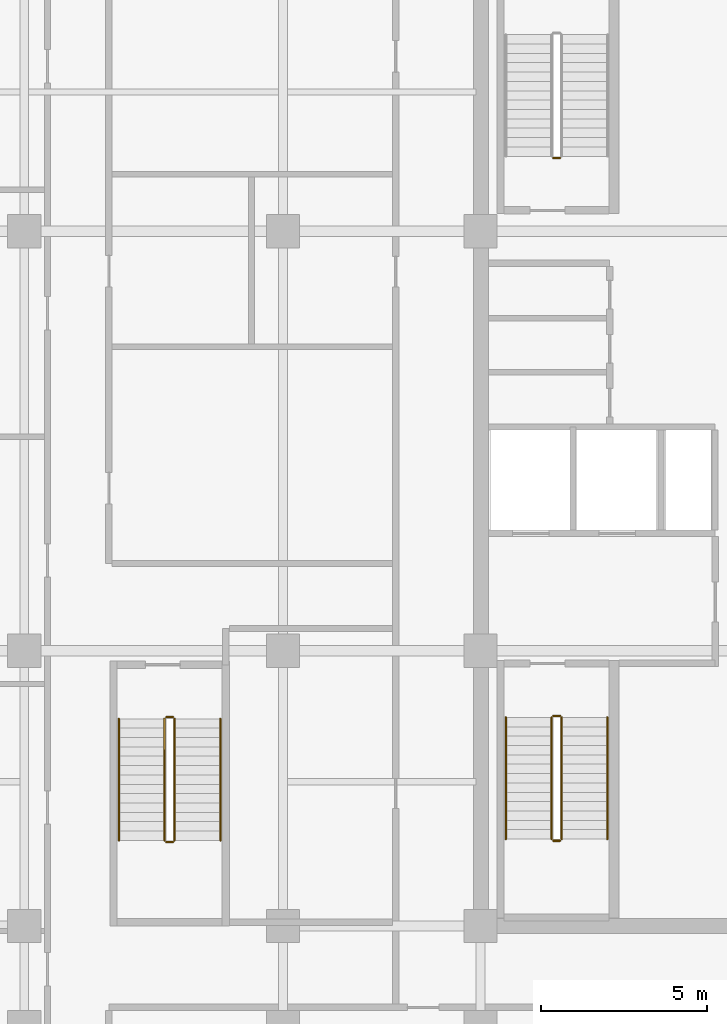
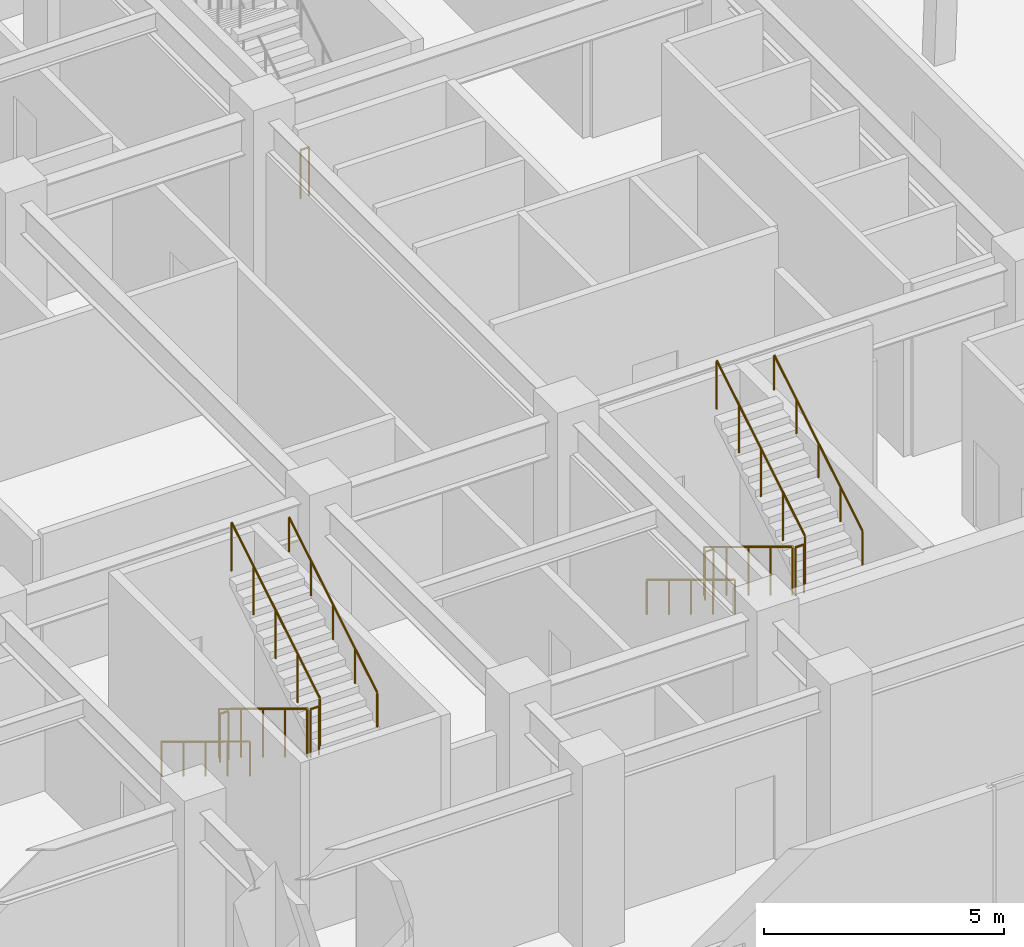
# One storey, part 8 of 10: 13 railings.
"""IFC4 building model written with IfcOpenShell, lengths in metres."""

from ifc_helpers import new_model, si_unit, direction, frame, origin, origin_2d, place, context, subcontext, project, spatial, circle, extrude, material, type_object, element, save


model = new_model("IFC4")

# Units and contexts
model_context = context("Model", 3, precision=1e-05, world=origin(), true_north=direction((0.0, 1.0)))
body_context = subcontext(model_context, "Body", "Model", "MODEL_VIEW")
ifc_project = project(units=[si_unit("LENGTHUNIT", "METRE"), si_unit("AREAUNIT", "SQUARE_METRE"), si_unit("VOLUMEUNIT", "CUBIC_METRE"), si_unit("PLANEANGLEUNIT", "RADIAN"), si_unit("MASSUNIT", "GRAM", prefix="KILO")], contexts=[model_context])

# Site, building, storey
site_placement = place(None, origin())
site = spatial("IfcSite", under=ifc_project, at=site_placement, CompositionType="ELEMENT")
building_placement = place(site_placement, origin())
building = spatial("IfcBuilding", under=site, at=building_placement, Name="Ochreholt Gables", CompositionType="ELEMENT")
storey_placement = place(building_placement, frame((0.0, 0.0, 14.39990234375)))
storey = spatial("IfcBuildingStorey", under=building, at=storey_placement, Name="L03", CompositionType="ELEMENT", Elevation=14.39990234375)

# Railings
ifc_material_1 = material(Name="Painted Steel Stair Guardrail", Category="steel")
railing_type_1 = type_object("IfcRailingType", Name="RL-ST-GUARD", PredefinedType="GUARDRAIL", material=ifc_material_1)
railing_1_placement = place(storey_placement, frame((26.35009765625, 15.5400390625, 0.171630859375)))
element("IfcRailing", 1, at=railing_1_placement, inside=storey, type_object=railing_type_1, Name="L03 ST-1 stair guard 1", PredefinedType="GUARDRAIL", context=body_context, shape_type="SweptSolid", body=[
    extrude(circle(Radius=0.02392578125, at=origin_2d()), frame((0.0, 0.0, 1.22607421875), z_axis=(0.0, -0.85450609292, 0.519441370283), x_axis=(1.0, 0.0, 0.0)), (0.0, 0.0, 1.0), 4.290283203125),
    extrude(circle(Radius=0.02099609375, at=origin_2d()), origin(), (0.0, 0.0, 1.0), 1.201904296875),
    extrude(circle(Radius=0.02099609375, at=origin_2d()), frame((0.0, -0.91650390625, 0.55712890625)), (0.0, 0.0, 1.0), 1.201904296875),
    extrude(circle(Radius=0.02099609375, at=origin_2d()), frame((0.0, -1.8330078125, 1.1142578125)), (0.0, 0.0, 1.0), 1.201904296875),
    extrude(circle(Radius=0.02099609375, at=origin_2d()), frame((0.0, -2.74951171875, 1.67138671875)), (0.0, 0.0, 1.0), 1.201904296875),
    extrude(circle(Radius=0.02099609375, at=origin_2d()), frame((0.0, -3.666015625, 2.228515625)), (0.0, 0.0, 1.0), 1.201904296875),
])
railing_2_placement = place(storey_placement, frame((26.39990234375, 11.823974609375, 2.400146484375)))
element("IfcRailing", 2, at=railing_2_placement, inside=storey, type_object=railing_type_1, Name="L03 ST-1 stair guard 2", PredefinedType="GUARDRAIL", context=body_context, shape_type="SweptSolid", body=[
    extrude(circle(Radius=0.02392578125, at=origin_2d()), frame((0.0, 0.0, 1.22607421875), z_axis=(1.0, 0.0, 0.0), x_axis=(0.0, 1.0, 0.0)), (0.0, 0.0, 1.0), 0.2001953125),
    extrude(circle(Radius=0.02099609375, at=origin_2d()), origin(), (0.0, 0.0, 1.0), 1.201904296875),
    extrude(circle(Radius=0.02099609375, at=origin_2d()), frame((0.2001953125, 0.0, 0.0)), (0.0, 0.0, 1.0), 1.201904296875),
])
railing_3_placement = place(storey_placement, frame((26.64990234375, 11.8740234375, 2.571533203125)))
element("IfcRailing", 3, at=railing_3_placement, inside=storey, type_object=railing_type_1, Name="L03 ST-1 stair guard 3", PredefinedType="GUARDRAIL", context=body_context, shape_type="SweptSolid", body=[
    extrude(circle(Radius=0.02392578125, at=origin_2d()), frame((0.0, 0.0, 1.22607421875), z_axis=(0.0, 0.85450609292, 0.519441370283), x_axis=(-1.0, 0.0, 0.0)), (0.0, 0.0, 1.0), 4.290283203125),
    extrude(circle(Radius=0.02099609375, at=origin_2d()), origin(), (0.0, 0.0, 1.0), 1.201904296875),
    extrude(circle(Radius=0.02099609375, at=origin_2d()), frame((0.0, 0.91650390625, 0.55712890625)), (0.0, 0.0, 1.0), 1.201904296875),
    extrude(circle(Radius=0.02099609375, at=origin_2d()), frame((0.0, 1.8330078125, 1.1142578125)), (0.0, 0.0, 1.0), 1.201904296875),
    extrude(circle(Radius=0.02099609375, at=origin_2d()), frame((0.0, 2.74951171875, 1.67138671875)), (0.0, 0.0, 1.0), 1.201904296875),
    extrude(circle(Radius=0.02099609375, at=origin_2d()), frame((0.0, 3.666015625, 2.228515625)), (0.0, 0.0, 1.0), 1.201904296875),
])
railing_4_placement = place(storey_placement, frame((26.39990234375, 15.590087890625, 0.0)))
element("IfcRailing", 4, at=railing_4_placement, inside=storey, type_object=railing_type_1, Name="L03 ST-1 stair guard 4", PredefinedType="GUARDRAIL", context=body_context, shape_type="SweptSolid", body=[
    extrude(circle(Radius=0.02392578125, at=origin_2d()), frame((0.0, 0.0, 1.22607421875), z_axis=(1.0, 0.0, 0.0), x_axis=(0.0, 1.0, 0.0)), (0.0, 0.0, 1.0), 0.2001953125),
    extrude(circle(Radius=0.02099609375, at=origin_2d()), origin(), (0.0, 0.0, 1.0), 1.201904296875),
    extrude(circle(Radius=0.02099609375, at=origin_2d()), frame((0.2001953125, 0.0, 0.0)), (0.0, 0.0, 1.0), 1.201904296875),
])
railing_5_placement = place(storey_placement, frame((26.60009765625, 32.409912109375, 0.0)))
element("IfcRailing", 5, at=railing_5_placement, inside=storey, type_object=railing_type_1, Name="L03 ST-2 stair guard 4", PredefinedType="GUARDRAIL", context=body_context, shape_type="SweptSolid", body=[
    extrude(circle(Radius=0.02392578125, at=origin_2d()), frame((0.0, 0.0, 1.22607421875), z_axis=(-1.0, 0.0, 0.0), x_axis=(0.0, -1.0, 0.0)), (0.0, 0.0, 1.0), 0.2001953125),
    extrude(circle(Radius=0.02099609375, at=origin_2d()), origin(), (0.0, 0.0, 1.0), 1.201904296875),
    extrude(circle(Radius=0.02099609375, at=origin_2d()), frame((-0.2001953125, 0.0, 0.0)), (0.0, 0.0, 1.0), 1.201904296875),
])
railing_6_placement = place(storey_placement, frame((14.679931640625, 15.5, 0.171630859375)))
element("IfcRailing", 6, at=railing_6_placement, inside=storey, type_object=railing_type_1, Name="L03 ST-P1 stair guard 1", PredefinedType="GUARDRAIL", context=body_context, shape_type="SweptSolid", body=[
    extrude(circle(Radius=0.02392578125, at=origin_2d()), frame((0.0, 0.0, 1.22607421875), z_axis=(0.0, -0.85450609292, 0.519441370283), x_axis=(1.0, 0.0, 0.0)), (0.0, 0.0, 1.0), 4.290283203125),
    extrude(circle(Radius=0.02099609375, at=origin_2d()), origin(), (0.0, 0.0, 1.0), 1.201904296875),
    extrude(circle(Radius=0.02099609375, at=origin_2d()), frame((0.0, -0.91650390625, 0.55712890625)), (0.0, 0.0, 1.0), 1.201904296875),
    extrude(circle(Radius=0.02099609375, at=origin_2d()), frame((0.0, -1.8330078125, 1.1142578125)), (0.0, 0.0, 1.0), 1.201904296875),
    extrude(circle(Radius=0.02099609375, at=origin_2d()), frame((0.0, -2.74951171875, 1.67138671875)), (0.0, 0.0, 1.0), 1.201904296875),
    extrude(circle(Radius=0.02099609375, at=origin_2d()), frame((0.0, -3.666015625, 2.228515625)), (0.0, 0.0, 1.0), 1.201904296875),
])
railing_7_placement = place(storey_placement, frame((14.72998046875, 11.783935546875, 2.400146484375)))
element("IfcRailing", 7, at=railing_7_placement, inside=storey, type_object=railing_type_1, Name="L03 ST-P1 stair guard 2", PredefinedType="GUARDRAIL", context=body_context, shape_type="SweptSolid", body=[
    extrude(circle(Radius=0.02392578125, at=origin_2d()), frame((0.0, 0.0, 1.22607421875), z_axis=(1.0, 0.0, 0.0), x_axis=(0.0, 1.0, 0.0)), (0.0, 0.0, 1.0), 0.199951171875),
    extrude(circle(Radius=0.02099609375, at=origin_2d()), origin(), (0.0, 0.0, 1.0), 1.201904296875),
    extrude(circle(Radius=0.02099609375, at=origin_2d()), frame((0.199951171875, 0.0, 0.0)), (0.0, 0.0, 1.0), 1.201904296875),
])
railing_8_placement = place(storey_placement, frame((14.97998046875, 11.833984375, 2.571533203125)))
element("IfcRailing", 8, at=railing_8_placement, inside=storey, type_object=railing_type_1, Name="L03 ST-P1 stair guard 3", PredefinedType="GUARDRAIL", context=body_context, shape_type="SweptSolid", body=[
    extrude(circle(Radius=0.02392578125, at=origin_2d()), frame((0.0, 0.0, 1.22607421875), z_axis=(0.0, 0.85450609292, 0.519441370283), x_axis=(-1.0, 0.0, 0.0)), (0.0, 0.0, 1.0), 4.290283203125),
    extrude(circle(Radius=0.02099609375, at=origin_2d()), origin(), (0.0, 0.0, 1.0), 1.201904296875),
    extrude(circle(Radius=0.02099609375, at=origin_2d()), frame((0.0, 0.91650390625, 0.55712890625)), (0.0, 0.0, 1.0), 1.201904296875),
    extrude(circle(Radius=0.02099609375, at=origin_2d()), frame((0.0, 1.8330078125, 1.1142578125)), (0.0, 0.0, 1.0), 1.201904296875),
    extrude(circle(Radius=0.02099609375, at=origin_2d()), frame((0.0, 2.74951171875, 1.67138671875)), (0.0, 0.0, 1.0), 1.201904296875),
    extrude(circle(Radius=0.02099609375, at=origin_2d()), frame((0.0, 3.666015625, 2.228515625)), (0.0, 0.0, 1.0), 1.201904296875),
])
railing_9_placement = place(storey_placement, frame((14.72998046875, 15.550048828125, 0.0)))
element("IfcRailing", 9, at=railing_9_placement, inside=storey, type_object=railing_type_1, Name="L03 ST-P1 stair guard 4", PredefinedType="GUARDRAIL", context=body_context, shape_type="SweptSolid", body=[
    extrude(circle(Radius=0.02392578125, at=origin_2d()), frame((0.0, 0.0, 1.22607421875), z_axis=(1.0, 0.0, 0.0), x_axis=(0.0, 1.0, 0.0)), (0.0, 0.0, 1.0), 0.199951171875),
    extrude(circle(Radius=0.02099609375, at=origin_2d()), origin(), (0.0, 0.0, 1.0), 1.201904296875),
    extrude(circle(Radius=0.02099609375, at=origin_2d()), frame((0.199951171875, 0.0, 0.0)), (0.0, 0.0, 1.0), 1.201904296875),
])
ifc_material_2 = material(Name="Brushed Stainless Steel Wall Handrail", Category="steel")
railing_type_2 = type_object("IfcRailingType", Name="RL-ST-HAND", PredefinedType="HANDRAIL", material=ifc_material_2)
railing_10_placement = place(storey_placement, frame((24.969970703125, 15.5400390625, 0.171630859375)))
element("IfcRailing", 10, at=railing_10_placement, inside=storey, type_object=railing_type_2, Name="L03 ST-1 stair handrail 1", PredefinedType="HANDRAIL", context=body_context, shape_type="SweptSolid", body=[
    extrude(circle(Radius=0.02392578125, at=origin_2d()), frame((0.0, 0.0, 0.8759765625), z_axis=(0.0, -0.85450609292, 0.519441370283), x_axis=(1.0, 0.0, 0.0)), (0.0, 0.0, 1.0), 4.290283203125),
    extrude(circle(Radius=0.02099609375, at=origin_2d()), origin(), (0.0, 0.0, 1.0), 0.851806640625),
    extrude(circle(Radius=0.02099609375, at=origin_2d()), frame((0.0, -0.91650390625, 0.55712890625)), (0.0, 0.0, 1.0), 0.851806640625),
    extrude(circle(Radius=0.02099609375, at=origin_2d()), frame((0.0, -1.8330078125, 1.1142578125)), (0.0, 0.0, 1.0), 0.851806640625),
    extrude(circle(Radius=0.02099609375, at=origin_2d()), frame((0.0, -2.74951171875, 1.67138671875)), (0.0, 0.0, 1.0), 0.851806640625),
    extrude(circle(Radius=0.02099609375, at=origin_2d()), frame((0.0, -3.666015625, 2.228515625)), (0.0, 0.0, 1.0), 0.851806640625),
])
railing_11_placement = place(storey_placement, frame((28.030029296875, 11.8740234375, 2.571533203125)))
element("IfcRailing", 11, at=railing_11_placement, inside=storey, type_object=railing_type_2, Name="L03 ST-1 stair handrail 2", PredefinedType="HANDRAIL", context=body_context, shape_type="SweptSolid", body=[
    extrude(circle(Radius=0.02392578125, at=origin_2d()), frame((0.0, 0.0, 0.8759765625), z_axis=(0.0, 0.85450609292, 0.519441370283), x_axis=(-1.0, 0.0, 0.0)), (0.0, 0.0, 1.0), 4.290283203125),
    extrude(circle(Radius=0.02099609375, at=origin_2d()), origin(), (0.0, 0.0, 1.0), 0.851806640625),
    extrude(circle(Radius=0.02099609375, at=origin_2d()), frame((0.0, 0.91650390625, 0.55712890625)), (0.0, 0.0, 1.0), 0.851806640625),
    extrude(circle(Radius=0.02099609375, at=origin_2d()), frame((0.0, 1.8330078125, 1.1142578125)), (0.0, 0.0, 1.0), 0.851806640625),
    extrude(circle(Radius=0.02099609375, at=origin_2d()), frame((0.0, 2.74951171875, 1.67138671875)), (0.0, 0.0, 1.0), 0.851806640625),
    extrude(circle(Radius=0.02099609375, at=origin_2d()), frame((0.0, 3.666015625, 2.228515625)), (0.0, 0.0, 1.0), 0.851806640625),
])
railing_12_placement = place(storey_placement, frame((13.300048828125, 15.5, 0.171630859375)))
element("IfcRailing", 12, at=railing_12_placement, inside=storey, type_object=railing_type_2, Name="L03 ST-P1 stair handrail 1", PredefinedType="HANDRAIL", context=body_context, shape_type="SweptSolid", body=[
    extrude(circle(Radius=0.02392578125, at=origin_2d()), frame((0.0, 0.0, 0.8759765625), z_axis=(0.0, -0.85450609292, 0.519441370283), x_axis=(1.0, 0.0, 0.0)), (0.0, 0.0, 1.0), 4.290283203125),
    extrude(circle(Radius=0.02099609375, at=origin_2d()), origin(), (0.0, 0.0, 1.0), 0.851806640625),
    extrude(circle(Radius=0.02099609375, at=origin_2d()), frame((0.0, -0.91650390625, 0.55712890625)), (0.0, 0.0, 1.0), 0.851806640625),
    extrude(circle(Radius=0.02099609375, at=origin_2d()), frame((0.0, -1.8330078125, 1.1142578125)), (0.0, 0.0, 1.0), 0.851806640625),
    extrude(circle(Radius=0.02099609375, at=origin_2d()), frame((0.0, -2.74951171875, 1.67138671875)), (0.0, 0.0, 1.0), 0.851806640625),
    extrude(circle(Radius=0.02099609375, at=origin_2d()), frame((0.0, -3.666015625, 2.228515625)), (0.0, 0.0, 1.0), 0.851806640625),
])
railing_13_placement = place(storey_placement, frame((16.360107421875, 11.833984375, 2.571533203125)))
element("IfcRailing", 13, at=railing_13_placement, inside=storey, type_object=railing_type_2, Name="L03 ST-P1 stair handrail 2", PredefinedType="HANDRAIL", context=body_context, shape_type="SweptSolid", body=[
    extrude(circle(Radius=0.02392578125, at=origin_2d()), frame((0.0, 0.0, 0.8759765625), z_axis=(0.0, 0.85450609292, 0.519441370283), x_axis=(-1.0, 0.0, 0.0)), (0.0, 0.0, 1.0), 4.290283203125),
    extrude(circle(Radius=0.02099609375, at=origin_2d()), origin(), (0.0, 0.0, 1.0), 0.851806640625),
    extrude(circle(Radius=0.02099609375, at=origin_2d()), frame((0.0, 0.91650390625, 0.55712890625)), (0.0, 0.0, 1.0), 0.851806640625),
    extrude(circle(Radius=0.02099609375, at=origin_2d()), frame((0.0, 1.8330078125, 1.1142578125)), (0.0, 0.0, 1.0), 0.851806640625),
    extrude(circle(Radius=0.02099609375, at=origin_2d()), frame((0.0, 2.74951171875, 1.67138671875)), (0.0, 0.0, 1.0), 0.851806640625),
    extrude(circle(Radius=0.02099609375, at=origin_2d()), frame((0.0, 3.666015625, 2.228515625)), (0.0, 0.0, 1.0), 0.851806640625),
])

save(model, "model.ifc")
